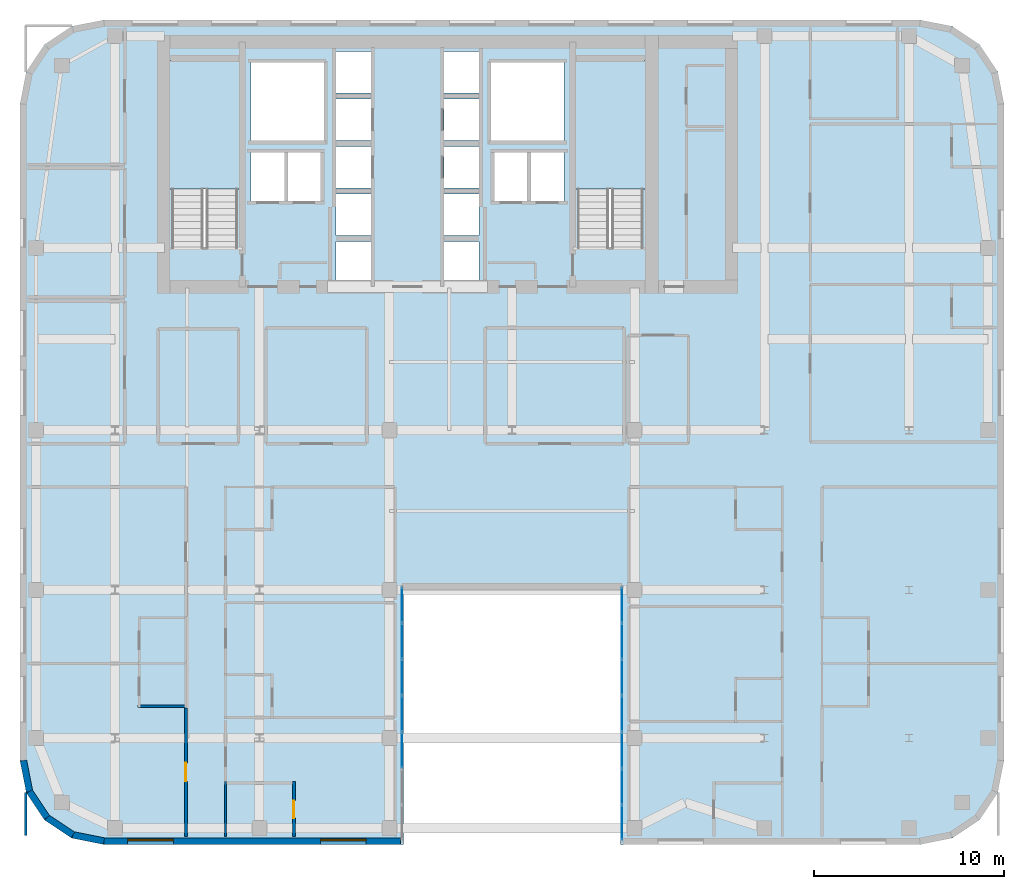
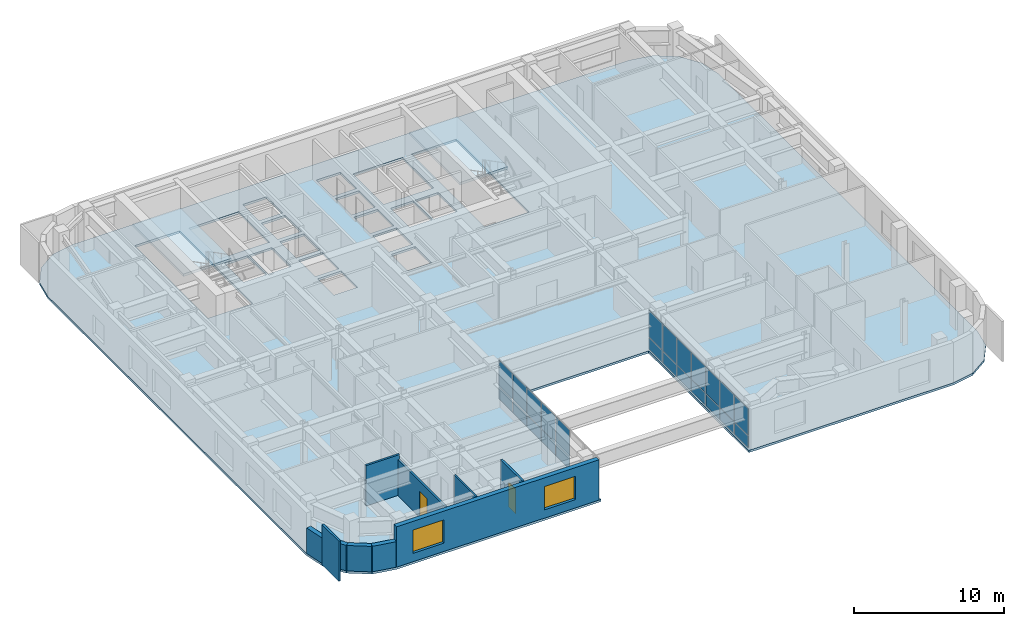
# One storey, part 6 of 13: 24 plates, 10 walls, 3 slabs, 2 doors, 2 windows, 4 openings, 4 elements without a shape of their own.
"""IFC4 building model written with IfcOpenShell, lengths in metres."""

from ifc_helpers import new_model, si_unit, direction, frame, frame_2d, origin, origin_2d, place, context, subcontext, project, spatial, polyline, rectangle, outline, extrude, source, transform, mapped, material, layer, layer_set, type_object, type_shapes, element, fill, aggregate, save


model = new_model("IFC4")

# Units and contexts
model_context = context("Model", 3, precision=1e-05, world=origin(), true_north=direction((0.0, 1.0)))
body_context = subcontext(model_context, "Body", "Model", "MODEL_VIEW")
ifc_project = project(units=[si_unit("LENGTHUNIT", "METRE"), si_unit("AREAUNIT", "SQUARE_METRE"), si_unit("VOLUMEUNIT", "CUBIC_METRE"), si_unit("PLANEANGLEUNIT", "RADIAN"), si_unit("MASSUNIT", "GRAM", prefix="KILO")], contexts=[model_context])

# Site, building, storey
site_placement = place(None, origin())
site = spatial("IfcSite", under=ifc_project, at=site_placement, CompositionType="ELEMENT")
building_placement = place(site_placement, origin())
building = spatial("IfcBuilding", under=site, at=building_placement, Name="Tolvann Quenvar Hotel", CompositionType="ELEMENT")
storey_placement = place(building_placement, frame((0.0, 0.0, 201.75)))
storey = spatial("IfcBuildingStorey", under=building, at=storey_placement, Name="L53", CompositionType="ELEMENT", Elevation=201.75)

# Stair, slab
ifc_material_1 = material(Name="Concrete N40 (40 MPa)", Category="concrete")
stair_type = type_object("IfcStairType", Name="STAIR", PredefinedType="HALF_TURN_STAIR", material=ifc_material_1)
stair_1_placement = place(storey_placement, origin())
stair_1 = element("IfcStair", 1, at=stair_1_placement, inside=storey, type_object=stair_type, Name="L53 ST-C1", PredefinedType="HALF_TURN_STAIR")
ifc_layer_1 = layer(ifc_material_1, 0.199951171875)
ifc_layer_set_1 = layer_set([ifc_layer_1], Name="Concrete N40 (40 MPa)")
slab_type_1 = type_object("IfcSlabType", Name="SLAB_LANDING", PredefinedType="LANDING", material=ifc_layer_set_1)
slab_1_placement = place(storey_placement, frame((0.0, 0.0, 1.574951171875)))
slab_1 = element("IfcSlab", 2, at=slab_1_placement, type_object=slab_type_1, Name="ST-C1 landing 1", PredefinedType="LANDING", context=body_context, shape_type="SweptSolid", body=[
    extrude(outline(polyline([(14.179931640625, 37.10498046875), (14.179931640625, 43.8798828125), (10.469970703125, 43.8798828125), (10.469970703125, 37.10498046875), (14.179931640625, 37.10498046875)])), origin(), (0.0, 0.0, 1.0), 0.199951171875),
])
aggregate(stair_1, [slab_1])

stair_2_placement = place(storey_placement, origin())
stair_2 = element("IfcStair", 3, at=stair_2_placement, inside=storey, type_object=stair_type, Name="L53 ST-C2", PredefinedType="HALF_TURN_STAIR")
slab_2_placement = place(storey_placement, frame((0.0, 0.0, 1.574951171875)))
slab_2 = element("IfcSlab", 4, at=slab_2_placement, type_object=slab_type_1, Name="ST-C2 landing 1", PredefinedType="LANDING", context=body_context, shape_type="SweptSolid", body=[
    extrude(outline(polyline([(35.530029296875, 37.10498046875), (35.530029296875, 43.8798828125), (31.820068359375, 43.8798828125), (31.820068359375, 37.10498046875), (35.530029296875, 37.10498046875)])), origin(), (0.0, 0.0, 1.0), 0.199951171875),
])
aggregate(stair_2, [slab_2])

# Slab
ifc_layer_2 = layer(ifc_material_1, 0.179931640625)
ifc_layer_set_2 = layer_set([ifc_layer_2], Name="Concrete N40 (40 MPa)")
slab_type_2 = type_object("IfcSlabType", Name="SLAB_TWR_180", PredefinedType="FLOOR", material=ifc_layer_set_2)
slab_3_placement = place(storey_placement, frame((0.0, 0.0, -0.179931640625)))
element("IfcSlab", 5, at=slab_3_placement, inside=storey, type_object=slab_type_2, Name="Level L53 Structural Floor Slab", PredefinedType="FLOOR", context=body_context, shape_type="SweptSolid", body=[
    extrude(outline(polyline([(2.60009765625, 7.0), (2.934814453125, 5.316162109375), (3.888671875, 3.888671875), (5.316162109375, 2.934814453125), (7.0, 2.60009765625), (22.800048828125, 2.60009765625), (22.800048828125, 16.0), (34.199951171875, 16.0), (34.199951171875, 2.60009765625), (50.0, 2.60009765625), (51.683837890625, 2.934814453125), (53.111328125, 3.888671875), (54.065185546875, 5.316162109375), (54.39990234375, 7.0), (54.39990234375, 41.60009765625), (54.065185546875, 43.28369140625), (53.111328125, 44.711181640625), (51.683837890625, 45.6650390625), (50.0, 46.0), (7.0, 46.0), (5.316162109375, 45.6650390625), (3.888671875, 44.711181640625), (2.934814453125, 43.28369140625), (2.60009765625, 41.60009765625), (2.60009765625, 7.0)]), holes=[polyline([(31.949951171875, 34.02490234375), (31.949951171875, 43.800048828125), (35.39990234375, 43.800048828125), (35.39990234375, 34.02490234375), (31.949951171875, 34.02490234375)]), polyline([(29.449951171875, 39.02001953125), (31.25, 39.02001953125), (31.25, 36.47998046875), (29.449951171875, 36.47998046875), (29.449951171875, 39.02001953125)]), polyline([(31.25, 43.75), (31.25, 39.64990234375), (27.39990234375, 39.64990234375), (27.39990234375, 43.75), (31.25, 43.75)]), polyline([(27.574951171875, 39.02001953125), (29.324951171875, 39.02001953125), (29.324951171875, 36.47998046875), (27.574951171875, 36.47998046875), (27.574951171875, 39.02001953125)]), polyline([(26.77001953125, 44.340087890625), (26.77001953125, 42.159912109375), (24.929931640625, 42.159912109375), (24.929931640625, 44.340087890625), (26.77001953125, 44.340087890625)]), polyline([(24.929931640625, 41.840087890625), (26.77001953125, 41.840087890625), (26.77001953125, 39.659912109375), (24.929931640625, 39.659912109375), (24.929931640625, 41.840087890625)]), polyline([(24.929931640625, 39.340087890625), (26.77001953125, 39.340087890625), (26.77001953125, 37.159912109375), (24.929931640625, 37.159912109375), (24.929931640625, 39.340087890625)]), polyline([(24.929931640625, 36.840087890625), (26.77001953125, 36.840087890625), (26.77001953125, 34.659912109375), (24.929931640625, 34.659912109375), (24.929931640625, 36.840087890625)]), polyline([(24.929931640625, 34.340087890625), (26.77001953125, 34.340087890625), (26.77001953125, 32.159912109375), (24.929931640625, 32.159912109375), (24.929931640625, 34.340087890625)]), polyline([(21.070068359375, 44.340087890625), (21.070068359375, 42.159912109375), (19.22998046875, 42.159912109375), (19.22998046875, 44.340087890625), (21.070068359375, 44.340087890625)]), polyline([(19.22998046875, 41.840087890625), (21.070068359375, 41.840087890625), (21.070068359375, 39.659912109375), (19.22998046875, 39.659912109375), (19.22998046875, 41.840087890625)]), polyline([(19.22998046875, 39.340087890625), (21.070068359375, 39.340087890625), (21.070068359375, 37.159912109375), (19.22998046875, 37.159912109375), (19.22998046875, 39.340087890625)]), polyline([(19.22998046875, 36.840087890625), (21.070068359375, 36.840087890625), (21.070068359375, 34.659912109375), (19.22998046875, 34.659912109375), (19.22998046875, 36.840087890625)]), polyline([(19.22998046875, 34.340087890625), (21.070068359375, 34.340087890625), (21.070068359375, 32.159912109375), (19.22998046875, 32.159912109375), (19.22998046875, 34.340087890625)]), polyline([(18.60009765625, 43.75), (18.60009765625, 39.64990234375), (14.75, 39.64990234375), (14.75, 43.75), (18.60009765625, 43.75)]), polyline([(16.675048828125, 39.02001953125), (18.425048828125, 39.02001953125), (18.425048828125, 36.47998046875), (16.675048828125, 36.47998046875), (16.675048828125, 39.02001953125)]), polyline([(14.75, 39.02001953125), (16.550048828125, 39.02001953125), (16.550048828125, 36.47998046875), (14.75, 36.47998046875), (14.75, 39.02001953125)]), polyline([(10.60009765625, 34.02490234375), (10.60009765625, 43.800048828125), (14.050048828125, 43.800048828125), (14.050048828125, 34.02490234375), (10.60009765625, 34.02490234375)])]), origin(), (0.0, 0.0, 1.0), 0.179931640625),
])

# Curtain wall, plate
ifc_material_2 = material(Name="Thermally broken anodised architectural aluminium 6063-T6 and laminated low-E glass", Category="aluminium")
ifc_layer_3 = layer(ifc_material_2, 0.179931640625)
ifc_layer_set_3 = layer_set([ifc_layer_3], Name="Thermally broken anodised architectural aluminium 6063-T6 and laminated low-E glass")
curtain_wall_type = type_object("IfcCurtainWallType", Name="CW_SYS_SLOT_03", PredefinedType="USERDEFINED", material=ifc_layer_set_3)
curtain_wall_1_placement = place(storey_placement, origin())
curtain_wall_1 = element("IfcCurtainWall", 6, at=curtain_wall_1_placement, inside=storey, type_object=curtain_wall_type, Name="Curtain Wall CW-SLOT-03 (CWR-L53-E05)", ObjectType="UNITISED CURTAIN WALL", PredefinedType="USERDEFINED")
ifc_material_3 = material(Name="Low-iron laminated double glazing with solar-control coating", Category="glass")
ifc_layer_4 = layer(ifc_material_3, 0.028076171875)
ifc_layer_set_4 = layer_set([ifc_layer_4], Name="Low-iron laminated double glazing with solar-control coating")
plate_type = type_object("IfcPlateType", Name="CW_PAN_VISION_28", PredefinedType="CURTAIN_PANEL", material=ifc_layer_set_4)
shared_shape_1 = source(origin(), body_context, "Body", "SweptSolid", [
    extrude(rectangle(XDim=1.809326171875, YDim=0.028076171875, at=origin_2d()), origin(), (0.0, 0.0, 1.0), 0.9599609375),
])
plate_1_placement = place(storey_placement, frame((22.7099609375, 15.200439453125, 0.06005859375), z_axis=(0.0, 0.0, 1.0), x_axis=(0.0, 1.0, 0.0)))
plate_1 = element("IfcPlate", 7, at=plate_1_placement, type_object=plate_type, Name="CW-SLOT-03 panel 7.1", PredefinedType="CURTAIN_PANEL", context=body_context, shape_type="MappedRepresentation", body=[
    mapped(shared_shape_1, transform((0.0, 0.0, 0.0), x_axis=(1.0, 0.0, 0.0), y_axis=(0.0, 1.0, 0.0), z_axis=(0.0, 0.0, 1.0), scale=1.0)),
])

# Curtain wall, plates
curtain_wall_2_placement = place(storey_placement, origin())
curtain_wall_2 = element("IfcCurtainWall", 8, at=curtain_wall_2_placement, inside=storey, type_object=curtain_wall_type, Name="Curtain Wall CW-SLOT-03 (CWR-L53-E07)", ObjectType="UNITISED CURTAIN WALL", PredefinedType="USERDEFINED")
plate_2_placement = place(storey_placement, frame((34.2900390625, 15.200439453125, 0.06005859375), z_axis=(0.0, 0.0, 1.0), x_axis=(0.0, -1.0, 0.0)))
plate_2 = element("IfcPlate", 9, at=plate_2_placement, type_object=plate_type, Name="CW-SLOT-03 panel 1.1", PredefinedType="CURTAIN_PANEL", context=body_context, shape_type="MappedRepresentation", body=[
    mapped(shared_shape_1, transform((0.0, 0.0, 0.0), x_axis=(1.0, 0.0, 0.0), y_axis=(0.0, 1.0, 0.0), z_axis=(0.0, 0.0, 1.0), scale=1.0)),
])
plate_3_placement = place(storey_placement, frame((34.2900390625, 3.749755859375, 0.06005859375), z_axis=(0.0, 0.0, 1.0), x_axis=(0.0, -1.0, 0.0)))
plate_3 = element("IfcPlate", 10, at=plate_3_placement, type_object=plate_type, Name="CW-SLOT-03 panel 7.1", PredefinedType="CURTAIN_PANEL", context=body_context, shape_type="MappedRepresentation", body=[
    mapped(shared_shape_1, transform((0.0, 0.0, 0.0), x_axis=(1.0, 0.0, 0.0), y_axis=(0.0, 1.0, 0.0), z_axis=(0.0, 0.0, 1.0), scale=1.0)),
])

# Plate
shared_shape_2 = source(origin(), body_context, "Body", "SweptSolid", [
    extrude(rectangle(XDim=1.84423828125, YDim=0.028076171875, at=origin_2d()), origin(), (0.0, 0.0, 1.0), 0.9599609375),
])
plate_4_placement = place(storey_placement, frame((22.7099609375, 7.560791015625, 0.06005859375), z_axis=(0.0, 0.0, 1.0), x_axis=(0.0, 1.0, 0.0)))
plate_4 = element("IfcPlate", 11, at=plate_4_placement, type_object=plate_type, Name="CW-SLOT-03 panel 3.1", PredefinedType="CURTAIN_PANEL", context=body_context, shape_type="MappedRepresentation", body=[
    mapped(shared_shape_2, transform((0.0, 0.0, 0.0), x_axis=(1.0, 0.0, 0.0), y_axis=(0.0, 1.0, 0.0), z_axis=(0.0, 0.0, 1.0), scale=1.0)),
])

plate_5_placement = place(storey_placement, frame((22.7099609375, 9.47509765625, 0.06005859375), z_axis=(0.0, 0.0, 1.0), x_axis=(0.0, 1.0, 0.0)))
plate_5 = element("IfcPlate", 12, at=plate_5_placement, type_object=plate_type, Name="CW-SLOT-03 panel 4.1", PredefinedType="CURTAIN_PANEL", context=body_context, shape_type="MappedRepresentation", body=[
    mapped(shared_shape_2, transform((0.0, 0.0, 0.0), x_axis=(1.0, 0.0, 0.0), y_axis=(0.0, 1.0, 0.0), z_axis=(0.0, 0.0, 1.0), scale=1.0)),
])

plate_6_placement = place(storey_placement, frame((22.7099609375, 11.389404296875, 0.06005859375), z_axis=(0.0, 0.0, 1.0), x_axis=(0.0, 1.0, 0.0)))
plate_6 = element("IfcPlate", 13, at=plate_6_placement, type_object=plate_type, Name="CW-SLOT-03 panel 5.1", PredefinedType="CURTAIN_PANEL", context=body_context, shape_type="MappedRepresentation", body=[
    mapped(shared_shape_2, transform((0.0, 0.0, 0.0), x_axis=(1.0, 0.0, 0.0), y_axis=(0.0, 1.0, 0.0), z_axis=(0.0, 0.0, 1.0), scale=1.0)),
])

plate_7_placement = place(storey_placement, frame((22.7099609375, 13.303466796875, 0.06005859375), z_axis=(0.0, 0.0, 1.0), x_axis=(0.0, 1.0, 0.0)))
plate_7 = element("IfcPlate", 14, at=plate_7_placement, type_object=plate_type, Name="CW-SLOT-03 panel 6.1", PredefinedType="CURTAIN_PANEL", context=body_context, shape_type="MappedRepresentation", body=[
    mapped(shared_shape_2, transform((0.0, 0.0, 0.0), x_axis=(1.0, 0.0, 0.0), y_axis=(0.0, 1.0, 0.0), z_axis=(0.0, 0.0, 1.0), scale=1.0)),
])

plate_8_placement = place(storey_placement, frame((34.2900390625, 13.303466796875, 0.06005859375), z_axis=(0.0, 0.0, 1.0), x_axis=(0.0, -1.0, 0.0)))
plate_8 = element("IfcPlate", 15, at=plate_8_placement, type_object=plate_type, Name="CW-SLOT-03 panel 2.1", PredefinedType="CURTAIN_PANEL", context=body_context, shape_type="MappedRepresentation", body=[
    mapped(shared_shape_2, transform((0.0, 0.0, 0.0), x_axis=(1.0, 0.0, 0.0), y_axis=(0.0, 1.0, 0.0), z_axis=(0.0, 0.0, 1.0), scale=1.0)),
])

plate_9_placement = place(storey_placement, frame((34.2900390625, 11.389404296875, 0.06005859375), z_axis=(0.0, 0.0, 1.0), x_axis=(0.0, -1.0, 0.0)))
plate_9 = element("IfcPlate", 16, at=plate_9_placement, type_object=plate_type, Name="CW-SLOT-03 panel 3.1", PredefinedType="CURTAIN_PANEL", context=body_context, shape_type="MappedRepresentation", body=[
    mapped(shared_shape_2, transform((0.0, 0.0, 0.0), x_axis=(1.0, 0.0, 0.0), y_axis=(0.0, 1.0, 0.0), z_axis=(0.0, 0.0, 1.0), scale=1.0)),
])

plate_10_placement = place(storey_placement, frame((34.2900390625, 9.47509765625, 0.06005859375), z_axis=(0.0, 0.0, 1.0), x_axis=(0.0, -1.0, 0.0)))
plate_10 = element("IfcPlate", 17, at=plate_10_placement, type_object=plate_type, Name="CW-SLOT-03 panel 4.1", PredefinedType="CURTAIN_PANEL", context=body_context, shape_type="MappedRepresentation", body=[
    mapped(shared_shape_2, transform((0.0, 0.0, 0.0), x_axis=(1.0, 0.0, 0.0), y_axis=(0.0, 1.0, 0.0), z_axis=(0.0, 0.0, 1.0), scale=1.0)),
])

plate_11_placement = place(storey_placement, frame((34.2900390625, 7.560791015625, 0.06005859375), z_axis=(0.0, 0.0, 1.0), x_axis=(0.0, -1.0, 0.0)))
plate_11 = element("IfcPlate", 18, at=plate_11_placement, type_object=plate_type, Name="CW-SLOT-03 panel 5.1", PredefinedType="CURTAIN_PANEL", context=body_context, shape_type="MappedRepresentation", body=[
    mapped(shared_shape_2, transform((0.0, 0.0, 0.0), x_axis=(1.0, 0.0, 0.0), y_axis=(0.0, 1.0, 0.0), z_axis=(0.0, 0.0, 1.0), scale=1.0)),
])

plate_12_placement = place(storey_placement, frame((34.2900390625, 5.646484375, 0.06005859375), z_axis=(0.0, 0.0, 1.0), x_axis=(0.0, -1.0, 0.0)))
plate_12 = element("IfcPlate", 19, at=plate_12_placement, type_object=plate_type, Name="CW-SLOT-03 panel 6.1", PredefinedType="CURTAIN_PANEL", context=body_context, shape_type="MappedRepresentation", body=[
    mapped(shared_shape_2, transform((0.0, 0.0, 0.0), x_axis=(1.0, 0.0, 0.0), y_axis=(0.0, 1.0, 0.0), z_axis=(0.0, 0.0, 1.0), scale=1.0)),
])

shared_shape_3 = source(origin(), body_context, "Body", "SweptSolid", [
    extrude(rectangle(XDim=1.809326171875, YDim=0.028076171875, at=origin_2d()), origin(), (0.0, 0.0, 1.0), 2.14990234375),
])
plate_13_placement = place(storey_placement, frame((22.7099609375, 15.200439453125, 1.080078125), z_axis=(0.0, 0.0, 1.0), x_axis=(0.0, 1.0, 0.0)))
plate_13 = element("IfcPlate", 20, at=plate_13_placement, type_object=plate_type, Name="CW-SLOT-03 panel 7.2", PredefinedType="CURTAIN_PANEL", context=body_context, shape_type="MappedRepresentation", body=[
    mapped(shared_shape_3, transform((0.0, 0.0, 0.0), x_axis=(1.0, 0.0, 0.0), y_axis=(0.0, 1.0, 0.0), z_axis=(0.0, 0.0, 1.0), scale=1.0)),
])

plate_14_placement = place(storey_placement, frame((34.2900390625, 15.200439453125, 1.080078125), z_axis=(0.0, 0.0, 1.0), x_axis=(0.0, -1.0, 0.0)))
plate_14 = element("IfcPlate", 21, at=plate_14_placement, type_object=plate_type, Name="CW-SLOT-03 panel 1.2", PredefinedType="CURTAIN_PANEL", context=body_context, shape_type="MappedRepresentation", body=[
    mapped(shared_shape_3, transform((0.0, 0.0, 0.0), x_axis=(1.0, 0.0, 0.0), y_axis=(0.0, 1.0, 0.0), z_axis=(0.0, 0.0, 1.0), scale=1.0)),
])

plate_15_placement = place(storey_placement, frame((34.2900390625, 3.749755859375, 1.080078125), z_axis=(0.0, 0.0, 1.0), x_axis=(0.0, -1.0, 0.0)))
plate_15 = element("IfcPlate", 22, at=plate_15_placement, type_object=plate_type, Name="CW-SLOT-03 panel 7.2", PredefinedType="CURTAIN_PANEL", context=body_context, shape_type="MappedRepresentation", body=[
    mapped(shared_shape_3, transform((0.0, 0.0, 0.0), x_axis=(1.0, 0.0, 0.0), y_axis=(0.0, 1.0, 0.0), z_axis=(0.0, 0.0, 1.0), scale=1.0)),
])

shared_shape_4 = source(origin(), body_context, "Body", "SweptSolid", [
    extrude(rectangle(XDim=1.84423828125, YDim=0.028076171875, at=origin_2d()), origin(), (0.0, 0.0, 1.0), 2.14990234375),
])
type_shapes(plate_type, [shared_shape_1, shared_shape_2, shared_shape_3, shared_shape_4])
plate_16_placement = place(storey_placement, frame((22.7099609375, 7.560791015625, 1.080078125), z_axis=(0.0, 0.0, 1.0), x_axis=(0.0, 1.0, 0.0)))
plate_16 = element("IfcPlate", 23, at=plate_16_placement, type_object=plate_type, Name="CW-SLOT-03 panel 3.2", PredefinedType="CURTAIN_PANEL", context=body_context, shape_type="MappedRepresentation", body=[
    mapped(shared_shape_4, transform((0.0, 0.0, 0.0), x_axis=(1.0, 0.0, 0.0), y_axis=(0.0, 1.0, 0.0), z_axis=(0.0, 0.0, 1.0), scale=1.0)),
])

plate_17_placement = place(storey_placement, frame((22.7099609375, 9.47509765625, 1.080078125), z_axis=(0.0, 0.0, 1.0), x_axis=(0.0, 1.0, 0.0)))
plate_17 = element("IfcPlate", 24, at=plate_17_placement, type_object=plate_type, Name="CW-SLOT-03 panel 4.2", PredefinedType="CURTAIN_PANEL", context=body_context, shape_type="MappedRepresentation", body=[
    mapped(shared_shape_4, transform((0.0, 0.0, 0.0), x_axis=(1.0, 0.0, 0.0), y_axis=(0.0, 1.0, 0.0), z_axis=(0.0, 0.0, 1.0), scale=1.0)),
])

plate_18_placement = place(storey_placement, frame((22.7099609375, 11.389404296875, 1.080078125), z_axis=(0.0, 0.0, 1.0), x_axis=(0.0, 1.0, 0.0)))
plate_18 = element("IfcPlate", 25, at=plate_18_placement, type_object=plate_type, Name="CW-SLOT-03 panel 5.2", PredefinedType="CURTAIN_PANEL", context=body_context, shape_type="MappedRepresentation", body=[
    mapped(shared_shape_4, transform((0.0, 0.0, 0.0), x_axis=(1.0, 0.0, 0.0), y_axis=(0.0, 1.0, 0.0), z_axis=(0.0, 0.0, 1.0), scale=1.0)),
])

plate_19_placement = place(storey_placement, frame((22.7099609375, 13.303466796875, 1.080078125), z_axis=(0.0, 0.0, 1.0), x_axis=(0.0, 1.0, 0.0)))
plate_19 = element("IfcPlate", 26, at=plate_19_placement, type_object=plate_type, Name="CW-SLOT-03 panel 6.2", PredefinedType="CURTAIN_PANEL", context=body_context, shape_type="MappedRepresentation", body=[
    mapped(shared_shape_4, transform((0.0, 0.0, 0.0), x_axis=(1.0, 0.0, 0.0), y_axis=(0.0, 1.0, 0.0), z_axis=(0.0, 0.0, 1.0), scale=1.0)),
])

aggregate(curtain_wall_1, [plate_4, plate_16, plate_5, plate_17, plate_6, plate_18, plate_7, plate_19, plate_1, plate_13])

plate_20_placement = place(storey_placement, frame((34.2900390625, 13.303466796875, 1.080078125), z_axis=(0.0, 0.0, 1.0), x_axis=(0.0, -1.0, 0.0)))
plate_20 = element("IfcPlate", 27, at=plate_20_placement, type_object=plate_type, Name="CW-SLOT-03 panel 2.2", PredefinedType="CURTAIN_PANEL", context=body_context, shape_type="MappedRepresentation", body=[
    mapped(shared_shape_4, transform((0.0, 0.0, 0.0), x_axis=(1.0, 0.0, 0.0), y_axis=(0.0, 1.0, 0.0), z_axis=(0.0, 0.0, 1.0), scale=1.0)),
])

plate_21_placement = place(storey_placement, frame((34.2900390625, 11.389404296875, 1.080078125), z_axis=(0.0, 0.0, 1.0), x_axis=(0.0, -1.0, 0.0)))
plate_21 = element("IfcPlate", 28, at=plate_21_placement, type_object=plate_type, Name="CW-SLOT-03 panel 3.2", PredefinedType="CURTAIN_PANEL", context=body_context, shape_type="MappedRepresentation", body=[
    mapped(shared_shape_4, transform((0.0, 0.0, 0.0), x_axis=(1.0, 0.0, 0.0), y_axis=(0.0, 1.0, 0.0), z_axis=(0.0, 0.0, 1.0), scale=1.0)),
])

plate_22_placement = place(storey_placement, frame((34.2900390625, 9.47509765625, 1.080078125), z_axis=(0.0, 0.0, 1.0), x_axis=(0.0, -1.0, 0.0)))
plate_22 = element("IfcPlate", 29, at=plate_22_placement, type_object=plate_type, Name="CW-SLOT-03 panel 4.2", PredefinedType="CURTAIN_PANEL", context=body_context, shape_type="MappedRepresentation", body=[
    mapped(shared_shape_4, transform((0.0, 0.0, 0.0), x_axis=(1.0, 0.0, 0.0), y_axis=(0.0, 1.0, 0.0), z_axis=(0.0, 0.0, 1.0), scale=1.0)),
])

plate_23_placement = place(storey_placement, frame((34.2900390625, 7.560791015625, 1.080078125), z_axis=(0.0, 0.0, 1.0), x_axis=(0.0, -1.0, 0.0)))
plate_23 = element("IfcPlate", 30, at=plate_23_placement, type_object=plate_type, Name="CW-SLOT-03 panel 5.2", PredefinedType="CURTAIN_PANEL", context=body_context, shape_type="MappedRepresentation", body=[
    mapped(shared_shape_4, transform((0.0, 0.0, 0.0), x_axis=(1.0, 0.0, 0.0), y_axis=(0.0, 1.0, 0.0), z_axis=(0.0, 0.0, 1.0), scale=1.0)),
])

plate_24_placement = place(storey_placement, frame((34.2900390625, 5.646484375, 1.080078125), z_axis=(0.0, 0.0, 1.0), x_axis=(0.0, -1.0, 0.0)))
plate_24 = element("IfcPlate", 31, at=plate_24_placement, type_object=plate_type, Name="CW-SLOT-03 panel 6.2", PredefinedType="CURTAIN_PANEL", context=body_context, shape_type="MappedRepresentation", body=[
    mapped(shared_shape_4, transform((0.0, 0.0, 0.0), x_axis=(1.0, 0.0, 0.0), y_axis=(0.0, 1.0, 0.0), z_axis=(0.0, 0.0, 1.0), scale=1.0)),
])

aggregate(curtain_wall_2, [plate_2, plate_14, plate_8, plate_20, plate_9, plate_21, plate_10, plate_22, plate_11, plate_23, plate_12, plate_24, plate_3, plate_15])

# Walls
ifc_material_4 = material(Name="Kiln-fired red and buff architectural clay brickwork and terracotta masonry", Category="masonry")
ifc_layer_5 = layer(ifc_material_4, 0.35009765625)
ifc_layer_set_5 = layer_set([ifc_layer_5], Name="Kiln-fired red and buff architectural clay brickwork and terracotta masonry")
wall_type_1 = type_object("IfcWallType", Name="WALL_EXT_BRICK_350", PredefinedType="SOLIDWALL", material=ifc_layer_set_5)
for number, where, z_axis, x_axis, name in (
    (32, (3.099609375, 5.384521484375, 0.0), (0.0, 0.0, 1.0), (0.555623290322, -0.831434158098, 0.0), "Exterior Chicago Brick Wall L53-E01"),
    (33, (4.014892578125, 4.014892578125, 0.0), (0.0, 0.0, 1.0), (0.831434158098, -0.555623290322, 0.0), "Exterior Chicago Brick Wall L53-E02"),
):
    element("IfcWall", number, at=place(storey_placement, frame(where, z_axis=z_axis, x_axis=x_axis)), inside=storey, type_object=wall_type_1, Name=name, PredefinedType="SOLIDWALL", context=body_context, shape_type="SweptSolid", body=[
        extrude(rectangle(XDim=1.647216796875, YDim=0.35009765625, at=frame_2d((0.82373046875, 0.0))), origin(), (0.0, 0.0, 1.0), 2.080078125),
    ])
wall_1_placement = place(storey_placement, frame((5.384521484375, 3.099609375, 0.0), z_axis=(0.0, 0.0, 1.0), x_axis=(0.980788844421, -0.195072403631, 0.0)))
element("IfcWall", 34, at=wall_1_placement, inside=storey, type_object=wall_type_1, Name="Exterior Chicago Brick Wall L53-E03", PredefinedType="SOLIDWALL", context=body_context, shape_type="SweptSolid", body=[
    extrude(rectangle(XDim=1.66455078125, YDim=0.35009765625, at=frame_2d((0.832275390625, 0.0))), origin(), (0.0, 0.0, 1.0), 2.080078125),
])

# Wall, openings, windows
wall_2_placement = place(storey_placement, frame((7.01708984375, 2.77490234375, 0.0), z_axis=(0.0, 0.0, 1.0), x_axis=(1.0, 0.0, 0.0)))
wall_2 = element("IfcWall", 35, at=wall_2_placement, inside=storey, type_object=wall_type_1, Name="Exterior Chicago Brick Wall L53-E04", PredefinedType="SOLIDWALL", context=body_context, shape_type="SweptSolid", body=[
    extrude(rectangle(XDim=15.60791015625, YDim=0.35009765625, at=frame_2d((7.803955078125, 0.0))), origin(), (0.0, 0.0, 1.0), 3.2900390625),
])
opening_1_placement = place(wall_2_placement, frame((1.2509765625, 0.0, 0.679931640625)))
opening_1 = element("IfcOpeningElement", 36, at=opening_1_placement, cuts=wall_2, Name="Opening W-01", PredefinedType="OPENING", context=body_context, shape_type="SweptSolid", body=[
    extrude(rectangle(XDim=2.39990234375, YDim=1.89990234375, at=frame_2d((1.199951171875, 0.949951171875))), frame((0.0, 0.18505859375, 0.0), z_axis=(0.0, -1.0, 0.0), x_axis=(1.0, 0.0, 0.0)), (0.0, 0.0, 1.0), 0.3701171875),
])
opening_2_placement = place(wall_2_placement, frame((11.406982421875, 0.0, 0.679931640625)))
opening_2 = element("IfcOpeningElement", 37, at=opening_2_placement, cuts=wall_2, Name="Opening W-01", PredefinedType="OPENING", context=body_context, shape_type="SweptSolid", body=[
    extrude(rectangle(XDim=2.39990234375, YDim=1.89990234375, at=frame_2d((1.199951171875, 0.949951171875))), frame((0.0, 0.18505859375, 0.0), z_axis=(0.0, -1.0, 0.0), x_axis=(1.0, 0.0, 0.0)), (0.0, 0.0, 1.0), 0.3701171875),
])
ifc_material_5 = material(Name="Thermally broken bronze-anodised aluminium frame with double low-E glazing", Category="aluminium")
window_type = type_object("IfcWindowType", Name="WIN_CHI_2400x2050", PartitioningType="TRIPLE_PANEL_HORIZONTAL", PredefinedType="WINDOW", material=ifc_material_5)
shared_shape_5 = source(origin(), body_context, "Body", "SweptSolid", [
    extrude(rectangle(XDim=2.39990234375, YDim=1.89990234375, at=frame_2d((1.199951171875, 0.949951171875))), frame((0.0, 0.090087890625, 0.0), z_axis=(0.0, -1.0, 0.0), x_axis=(1.0, 0.0, 0.0)), (0.0, 0.0, 1.0), 0.06005859375),
])
type_shapes(window_type, [shared_shape_5])
window_1_placement = place(opening_1_placement, origin())
window_1 = element("IfcWindow", 38, at=window_1_placement, inside=storey, type_object=window_type, Name="Chicago Window W-01 (EW-L53-E04-W01)", OverallHeight=1.89990234375, OverallWidth=2.39990234375, PartitioningType="TRIPLE_PANEL_HORIZONTAL", PredefinedType="WINDOW", context=body_context, shape_type="MappedRepresentation", body=[
    mapped(shared_shape_5, transform((0.0, 0.0, 0.0), x_axis=(1.0, 0.0, 0.0), y_axis=(0.0, 1.0, 0.0), z_axis=(0.0, 0.0, 1.0), scale=1.0)),
])
fill(opening_1, window_1)
window_2_placement = place(opening_2_placement, origin())
window_2 = element("IfcWindow", 39, at=window_2_placement, inside=storey, type_object=window_type, Name="Chicago Window W-01 (EW-L53-E04-W02)", OverallHeight=1.89990234375, OverallWidth=2.39990234375, PartitioningType="TRIPLE_PANEL_HORIZONTAL", PredefinedType="WINDOW", context=body_context, shape_type="MappedRepresentation", body=[
    mapped(shared_shape_5, transform((0.0, 0.0, 0.0), x_axis=(1.0, 0.0, 0.0), y_axis=(0.0, 1.0, 0.0), z_axis=(0.0, 0.0, 1.0), scale=1.0)),
])
fill(opening_2, window_2)

# Walls
wall_3_placement = place(storey_placement, frame((2.77490234375, 7.01708984375, 0.0), z_axis=(0.0, 0.0, 1.0), x_axis=(0.195072403631, -0.980788844421, 0.0)))
element("IfcWall", 40, at=wall_3_placement, inside=storey, type_object=wall_type_1, Name="Exterior Chicago Brick Wall L53-E24", PredefinedType="SOLIDWALL", context=body_context, shape_type="SweptSolid", body=[
    extrude(rectangle(XDim=1.66455078125, YDim=0.35009765625, at=frame_2d((0.832275390625, 0.0))), origin(), (0.0, 0.0, 1.0), 2.080078125),
])
ifc_material_6 = material(Name="Moisture-resistant acoustic plumbing wall assembly")
ifc_layer_6 = layer(ifc_material_6, 0.1201171875)
ifc_layer_set_6 = layer_set([ifc_layer_6], Name="Moisture-resistant acoustic plumbing wall assembly")
wall_type_2 = type_object("IfcWallType", Name="WALL_PART_BATH_120", PredefinedType="PLUMBINGWALL", material=ifc_layer_set_6)
wall_4_placement = place(storey_placement, frame((13.419921875, 3.0048828125, 0.0), z_axis=(0.0, 0.0, 1.0), x_axis=(0.0, 1.0, 0.0)))
element("IfcWall", 41, at=wall_4_placement, inside=storey, type_object=wall_type_2, Name="Non-Rated Plumbing Partition PT-SPC-L53-ENS-WI01-W", PredefinedType="PLUMBINGWALL", context=body_context, shape_type="SweptSolid", body=[
    extrude(rectangle(XDim=2.89501953125, YDim=0.1201171875, at=frame_2d((1.447509765625, 0.0))), origin(), (0.0, 0.0, 1.0), 3.2900390625),
])
ifc_material_7 = material(Name="Acoustic twin-stud fire-rated gypsum plasterboard partition")
ifc_layer_7 = layer(ifc_material_7, 0.14990234375)
ifc_layer_set_7 = layer_set([ifc_layer_7], Name="Acoustic twin-stud fire-rated gypsum plasterboard partition")
wall_type_3 = type_object("IfcWallType", Name="WALL_PART_SUITE_150", PredefinedType="PARTITIONING", material=ifc_layer_set_7)
wall_5_placement = place(storey_placement, frame((8.81005859375, 9.8701171875, 0.0), z_axis=(0.0, 0.0, 1.0), x_axis=(1.0, 0.0, 0.0)))
element("IfcWall", 42, at=wall_5_placement, inside=storey, type_object=wall_type_3, Name="Interior Partition PT-SPC-L53-ENS-WO01-S", PredefinedType="PARTITIONING", context=body_context, shape_type="SweptSolid", body=[
    extrude(rectangle(XDim=2.58984375, YDim=0.14990234375, at=frame_2d((1.294921875, 0.0))), origin(), (0.0, 0.0, 1.0), 3.2900390625),
])

# Wall, opening, door
wall_6_placement = place(storey_placement, frame((17.02001953125, 3.0048828125, 0.0), z_axis=(0.0, 0.0, 1.0), x_axis=(0.0, 1.0, 0.0)))
wall_6 = element("IfcWall", 43, at=wall_6_placement, inside=storey, type_object=wall_type_3, Name="Interior Partition PT-SPC-L53-ENS-WI01-ENT", PredefinedType="PARTITIONING", context=body_context, shape_type="SweptSolid", body=[
    extrude(rectangle(XDim=2.89501953125, YDim=0.14990234375, at=frame_2d((1.447509765625, 0.0))), origin(), (0.0, 0.0, 1.0), 3.2900390625),
])
opening_3_placement = place(wall_6_placement, frame((0.97998046875, 0.0, 0.0)))
opening_3 = element("IfcOpeningElement", 44, at=opening_3_placement, cuts=wall_6, Name="Opening WD-01", PredefinedType="OPENING", context=body_context, shape_type="SweptSolid", body=[
    extrude(rectangle(XDim=0.919921875, YDim=2.010009765625, at=frame_2d((0.4599609375, 1.0048828125))), frame((0.0, 0.0849609375, 0.0), z_axis=(0.0, -1.0, 0.0), x_axis=(1.0, 0.0, 0.0)), (0.0, 0.0, 1.0), 0.169921875),
])
ifc_material_8 = material(Name="Solid-core American oak acoustic fire door leaf in steel frame", Category="steel")
door_type_1 = type_object("IfcDoorType", Name="DOOR_WC_920", OperationType="NOTDEFINED", PredefinedType="DOOR", material=ifc_material_8)
shared_shape_6 = source(origin(), body_context, "Body", "SweptSolid", [
    extrude(rectangle(XDim=0.919921875, YDim=2.010009765625, at=frame_2d((0.4599609375, 1.0048828125))), frame((0.0, 0.02490234375, 0.0), z_axis=(0.0, -1.0, 0.0), x_axis=(1.0, 0.0, 0.0)), (0.0, 0.0, 1.0), 0.050048828125),
])
type_shapes(door_type_1, [shared_shape_6])
door_1_placement = place(opening_3_placement, origin())
door_1 = element("IfcDoor", 45, at=door_1_placement, inside=storey, type_object=door_type_1, Name="Interior Door DOOR-SPC-L53-ENS-WI01", OperationType="SINGLE_SWING_LEFT", OverallHeight=2.010009765625, OverallWidth=0.919921875, PredefinedType="DOOR", context=body_context, shape_type="MappedRepresentation", body=[
    mapped(shared_shape_6, transform((0.0, 0.0, 0.0), x_axis=(1.0, 0.0, 0.0), y_axis=(0.0, 1.0, 0.0), z_axis=(0.0, 0.0, 1.0), scale=1.0)),
])
fill(opening_3, door_1)

wall_7_placement = place(storey_placement, frame((11.330078125, 3.0048828125, 0.0), z_axis=(0.0, 0.0, 1.0), x_axis=(0.0, 1.0, 0.0)))
wall_7 = element("IfcWall", 46, at=wall_7_placement, inside=storey, type_object=wall_type_3, Name="Interior Partition PT-SPC-L53-RM-WO01-ENT", PredefinedType="PARTITIONING", context=body_context, shape_type="SweptSolid", body=[
    extrude(rectangle(XDim=6.78515625, YDim=0.14990234375, at=frame_2d((3.392578125, 0.0))), origin(), (0.0, 0.0, 1.0), 2.9208984375),
])
opening_4_placement = place(wall_7_placement, frame((2.909912109375, 0.0, 0.0)))
opening_4 = element("IfcOpeningElement", 47, at=opening_4_placement, cuts=wall_7, Name="Opening SD-01", PredefinedType="OPENING", context=body_context, shape_type="SweptSolid", body=[
    extrude(rectangle(XDim=0.97998046875, YDim=2.1201171875, at=frame_2d((0.489990234375, 1.06005859375))), frame((0.0, 0.0849609375, 0.0), z_axis=(0.0, -1.0, 0.0), x_axis=(1.0, 0.0, 0.0)), (0.0, 0.0, 1.0), 0.169921875),
])
door_type_2 = type_object("IfcDoorType", Name="DOOR_SUITE_980", OperationType="NOTDEFINED", PredefinedType="DOOR", material=ifc_material_8)
shared_shape_7 = source(origin(), body_context, "Body", "SweptSolid", [
    extrude(rectangle(XDim=0.97998046875, YDim=2.1201171875, at=frame_2d((0.489990234375, 1.06005859375))), frame((0.0, 0.02490234375, 0.0), z_axis=(0.0, -1.0, 0.0), x_axis=(1.0, 0.0, 0.0)), (0.0, 0.0, 1.0), 0.050048828125),
])
type_shapes(door_type_2, [shared_shape_7])
door_2_placement = place(opening_4_placement, origin())
door_2 = element("IfcDoor", 48, at=door_2_placement, inside=storey, type_object=door_type_2, Name="Interior Door DOOR-SPC-L53-RM-WO01", OperationType="SINGLE_SWING_LEFT", OverallHeight=2.1201171875, OverallWidth=0.97998046875, PredefinedType="DOOR", context=body_context, shape_type="MappedRepresentation", body=[
    mapped(shared_shape_7, transform((0.0, 0.0, 0.0), x_axis=(1.0, 0.0, 0.0), y_axis=(0.0, 1.0, 0.0), z_axis=(0.0, 0.0, 1.0), scale=1.0)),
])
fill(opening_4, door_2)

# Wall
wall_8_placement = place(storey_placement, frame((2.89990234375, 3.080078125, 0.0), z_axis=(0.0, 0.0, 1.0), x_axis=(0.0, 1.0, 0.0)))
element("IfcWall", 49, at=wall_8_placement, inside=storey, type_object=wall_type_3, Name="Interior Partition PT-SPC-L53-RM-WO01-E6", PredefinedType="PARTITIONING", context=body_context, shape_type="SweptSolid", body=[
    extrude(rectangle(XDim=2.264892578125, YDim=0.14990234375, at=frame_2d((1.13232421875, 0.0))), origin(), (0.0, 0.0, 1.0), 3.2900390625),
])

save(model, "model.ifc")
